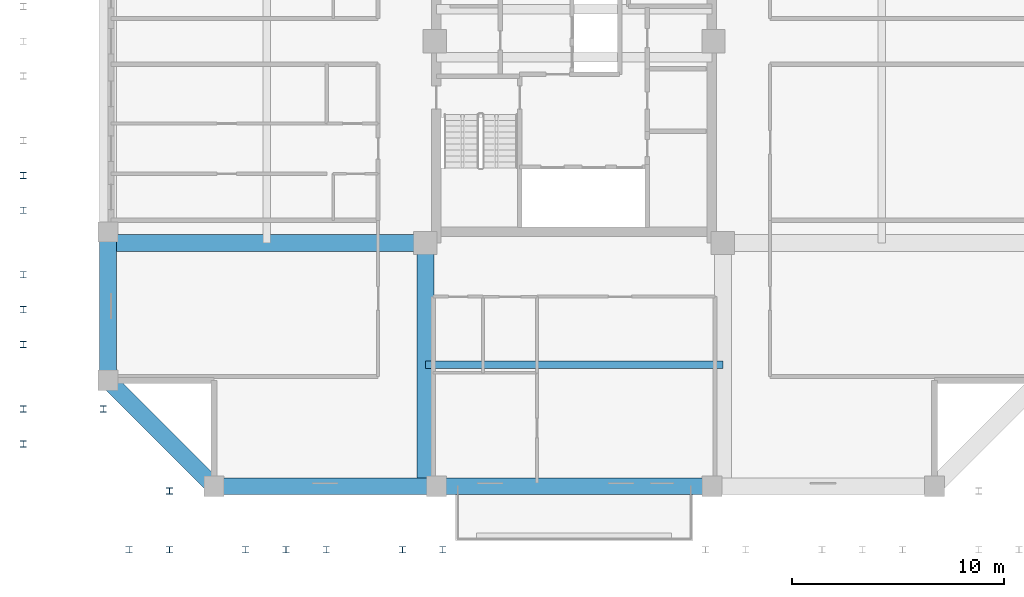
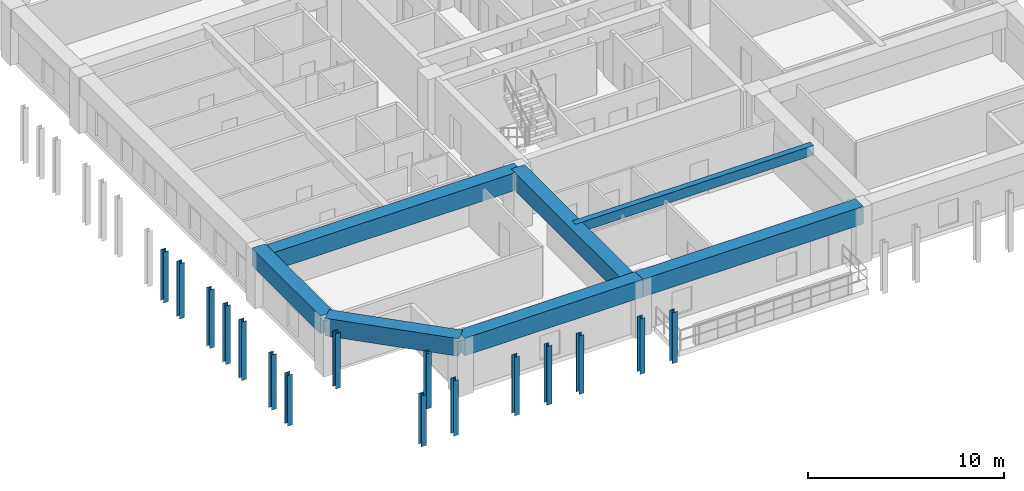
# One storey, part 2 of 13: 16 members, 7 beams.
"""IFC4 building model written with IfcOpenShell, lengths in metres."""

from ifc_helpers import new_model, si_unit, direction, frame, origin, origin_2d, place, context, subcontext, project, spatial, rectangle, i_section, extrude, source, transform, mapped, material, material_profile, profile_set, type_object, element, save


model = new_model("IFC4")

# Units and contexts
model_context = context("Model", 3, precision=1e-05, world=origin(), true_north=direction((0.0, 1.0)))
body_context = subcontext(model_context, "Body", "Model", "MODEL_VIEW")
ifc_project = project(units=[si_unit("LENGTHUNIT", "METRE"), si_unit("AREAUNIT", "SQUARE_METRE"), si_unit("VOLUMEUNIT", "CUBIC_METRE"), si_unit("PLANEANGLEUNIT", "RADIAN"), si_unit("MASSUNIT", "GRAM", prefix="KILO")], contexts=[model_context])

# Site, building, storey
site_placement = place(None, origin())
site = spatial("IfcSite", under=ifc_project, at=site_placement, CompositionType="ELEMENT")
building_placement = place(site_placement, origin())
building = spatial("IfcBuilding", under=site, at=building_placement, Name="Saelheon Loggia Tower", CompositionType="ELEMENT")
storey_placement = place(building_placement, frame((0.0, 0.0, 148.699951171875)))
storey = spatial("IfcBuildingStorey", under=building, at=storey_placement, Name="L47", CompositionType="ELEMENT", Elevation=148.699951171875)

# Members
ifc_material_1 = material(Name="Steel SM355", Category="steel")
ifc_material_profile_1 = material_profile(ifc_material_1, i_section(OverallWidth=0.300048828125, OverallDepth=0.300048828125, WebThickness=0.010009765625, FlangeThickness=0.014892578125, at=origin_2d()), Name="H-300x300x10x15")
ifc_profile_set_1 = profile_set([ifc_material_profile_1], Name="Steel SM355")
member_type_1 = type_object("IfcMemberType", Name="WaveCrest_Post_H300", PredefinedType="POST", material=ifc_profile_set_1)
shared_shape_1 = source(origin(), body_context, "Body", "SweptSolid", [
    extrude(i_section(OverallWidth=0.300048828125, OverallDepth=0.300048828125, WebThickness=0.010009765625, FlangeThickness=0.014892578125, at=origin_2d()), origin(), (0.0, 0.0, 1.0), 3.169921875),
])
for number, where, z_axis, x_axis, name in (
    (1, (12.0, 8.0, -0.14990234375), (0.0, 0.0, 1.0), (1.0, 0.0, 0.0), "Tier 1 Wave Crest Lower Post W 00"),
    (2, (12.0, 20.666748046875, -0.14990234375), (0.0, 0.0, 1.0), (1.0, 0.0, 0.0), "Tier 1 Wave Crest Lower Post W 02"),
    (3, (17.0, 3.0, -0.14990234375), (0.0, 0.0, 1.0), (1.0, 0.0, 0.0), "Tier 1 Wave Crest Lower Post SW 00"),
    (4, (31.800048828125, 3.0, -0.14990234375), (0.0, 0.0, 1.0), (1.0, 0.0, 0.0), "Tier 1 Wave Crest Lower Post SW 02"),
):
    element("IfcMember", number, at=place(storey_placement, frame(where, z_axis=z_axis, x_axis=x_axis)), inside=storey, type_object=member_type_1, Name=name, PredefinedType="POST", context=body_context, shape_type="MappedRepresentation", body=[
        mapped(shared_shape_1, transform((0.0, 0.0, 0.0), scale=1.0)),
    ])
shared_shape_2 = source(origin(), body_context, "Body", "SweptSolid", [
    extrude(i_section(OverallWidth=0.300048828125, OverallDepth=0.300048828125, WebThickness=0.010009765625, FlangeThickness=0.014892578125, at=origin_2d()), origin(), (0.0, 0.0, 1.0), 3.64990234375),
])
for number, where, z_axis, x_axis, name in (
    (5, (12.0, 14.333251953125, -0.14990234375), (0.0, 0.0, 1.0), (1.0, 0.0, 0.0), "Tier 1 Wave Crest Lower Post W 01"),
    (6, (12.0, 12.6884765625, -0.14990234375), (0.0, 0.0, 1.0), (1.0, 0.0, 0.0), "Tier 1 Rafter Outer Lower Post W 01"),
    (7, (12.0, 15.97802734375, -0.14990234375), (0.0, 0.0, 1.0), (1.0, 0.0, 0.0), "Tier 1 Rafter Outer Lower Post W 02"),
    (8, (24.39990234375, 3.0, -0.14990234375), (0.0, 0.0, 1.0), (1.0, 0.0, 0.0), "Tier 1 Wave Crest Lower Post SW 01"),
    (9, (22.499267578125, 3.0, -0.14990234375), (0.0, 0.0, 1.0), (1.0, 0.0, 0.0), "Tier 1 Rafter Outer Lower Post SW 01"),
    (10, (26.30078125, 3.0, -0.14990234375), (0.0, 0.0, 1.0), (1.0, 0.0, 0.0), "Tier 1 Rafter Outer Lower Post SW 02"),
):
    element("IfcMember", number, at=place(storey_placement, frame(where, z_axis=z_axis, x_axis=x_axis)), inside=storey, type_object=member_type_1, Name=name, PredefinedType="POST", context=body_context, shape_type="MappedRepresentation", body=[
        mapped(shared_shape_2, transform((0.0, 0.0, 0.0), scale=1.0)),
    ])
shared_shape_3 = source(origin(), body_context, "Body", "SweptSolid", [
    extrude(i_section(OverallWidth=0.300048828125, OverallDepth=0.300048828125, WebThickness=0.010009765625, FlangeThickness=0.014892578125, at=origin_2d()), origin(), (0.0, 0.0, 1.0), 3.44189453125),
])
member_1_placement = place(storey_placement, frame((12.0, 9.644775390625, -0.14990234375), z_axis=(0.0, 0.0, 1.0), x_axis=(1.0, 0.0, 0.0)))
element("IfcMember", 11, at=member_1_placement, inside=storey, type_object=member_type_1, Name="Tier 1 Rafter Outer Lower Post W 01", PredefinedType="POST", context=body_context, shape_type="MappedRepresentation", body=[
    mapped(shared_shape_3, transform((0.0, 0.0, 0.0), scale=1.0)),
])
ifc_material_profile_2 = material_profile(ifc_material_1, i_section(OverallWidth=0.300048828125, OverallDepth=0.300048828125, WebThickness=0.010009765625, FlangeThickness=0.014892578125, at=origin_2d()), Name="H-300x300x10x15")
ifc_profile_set_2 = profile_set([ifc_material_profile_2], Name="Steel SM355")
member_type_2 = type_object("IfcMemberType", Name="Belt_Post_H300", PredefinedType="POST", material=ifc_profile_set_2)
member_2_placement = place(storey_placement, frame((15.780029296875, 9.644775390625, -0.14990234375), z_axis=(0.0, 0.0, 1.0), x_axis=(1.0, 0.0, 0.0)))
element("IfcMember", 12, at=member_2_placement, inside=storey, type_object=member_type_2, Name="Tier 1 Rafter Inner Lower Post W 01", PredefinedType="POST", context=body_context, shape_type="MappedRepresentation", body=[
    mapped(shared_shape_3, transform((0.0, 0.0, 0.0), scale=1.0)),
])
member_3_placement = place(storey_placement, frame((12.0, 19.02197265625, -0.14990234375), z_axis=(0.0, 0.0, 1.0), x_axis=(1.0, 0.0, 0.0)))
element("IfcMember", 13, at=member_3_placement, inside=storey, type_object=member_type_1, Name="Tier 1 Rafter Outer Lower Post W 02", PredefinedType="POST", context=body_context, shape_type="MappedRepresentation", body=[
    mapped(shared_shape_3, transform((0.0, 0.0, 0.0), scale=1.0)),
])
shared_shape_4 = source(origin(), body_context, "Body", "SweptSolid", [
    extrude(i_section(OverallWidth=0.300048828125, OverallDepth=0.300048828125, WebThickness=0.010009765625, FlangeThickness=0.014892578125, at=origin_2d()), origin(), (0.0, 0.0, 1.0), 3.4482421875),
])
member_4_placement = place(storey_placement, frame((18.90087890625, 3.0, -0.14990234375), z_axis=(0.0, 0.0, 1.0), x_axis=(1.0, 0.0, 0.0)))
element("IfcMember", 14, at=member_4_placement, inside=storey, type_object=member_type_1, Name="Tier 1 Rafter Outer Lower Post SW 01", PredefinedType="POST", context=body_context, shape_type="MappedRepresentation", body=[
    mapped(shared_shape_4, transform((0.0, 0.0, 0.0), scale=1.0)),
])
member_5_placement = place(storey_placement, frame((18.90087890625, 5.780029296875, -0.14990234375), z_axis=(0.0, 0.0, 1.0), x_axis=(1.0, 0.0, 0.0)))
element("IfcMember", 15, at=member_5_placement, inside=storey, type_object=member_type_2, Name="Tier 1 Rafter Inner Lower Post SW 01", PredefinedType="POST", context=body_context, shape_type="MappedRepresentation", body=[
    mapped(shared_shape_4, transform((0.0, 0.0, 0.0), scale=1.0)),
])
member_6_placement = place(storey_placement, frame((29.899169921875, 3.0, -0.14990234375), z_axis=(0.0, 0.0, 1.0), x_axis=(1.0, 0.0, 0.0)))
element("IfcMember", 16, at=member_6_placement, inside=storey, type_object=member_type_1, Name="Tier 1 Rafter Outer Lower Post SW 02", PredefinedType="POST", context=body_context, shape_type="MappedRepresentation", body=[
    mapped(shared_shape_4, transform((0.0, 0.0, 0.0), scale=1.0)),
])

# Beams
ifc_material_2 = material(Name="Concrete C45/55", Category="concrete")
ifc_material_profile_3 = material_profile(ifc_material_2, rectangle(XDim=0.35009765625, YDim=0.60009765625, at=origin_2d()), Name="RC-350x600")
ifc_profile_set_3 = profile_set([ifc_material_profile_3], Name="Concrete C45/55")
beam_type_1 = type_object("IfcBeamType", Name="Beam_AmenityJoist_RC350x600", PredefinedType="JOIST", material=ifc_profile_set_3)
shared_shape_5 = source(origin(), body_context, "Body", "SweptSolid", [
    extrude(rectangle(XDim=0.35009765625, YDim=0.60009765625, at=origin_2d()), origin(), (0.0, 0.0, 1.0), 14.0400390625),
])
beam_1_placement = place(storey_placement, frame((30.97998046875, 11.739990234375, 3.199951171875), z_axis=(1.0, 0.0, 0.0), x_axis=(0.0, 1.0, 0.0)))
element("IfcBeam", 17, at=beam_1_placement, inside=storey, type_object=beam_type_1, Name="L47 South Floor Joist", PredefinedType="JOIST", context=body_context, shape_type="MappedRepresentation", body=[
    mapped(shared_shape_5, transform((0.0, 0.0, 0.0), scale=1.0)),
])
ifc_material_3 = material(Name="Concrete C50/60", Category="concrete")
ifc_material_profile_4 = material_profile(ifc_material_3, rectangle(XDim=0.800048828125, YDim=1.10009765625, at=origin_2d()), Name="RC-800x1100")
ifc_profile_set_4 = profile_set([ifc_material_profile_4], Name="Concrete C50/60")
beam_type_2 = type_object("IfcBeamType", Name="Beam_PerimSetback_RC800x1100", PredefinedType="BEAM", material=ifc_profile_set_4)
shared_shape_6 = source(origin(), body_context, "Body", "SweptSolid", [
    extrude(rectangle(XDim=0.800048828125, YDim=1.10009765625, at=origin_2d()), origin(), (0.0, 0.0, 1.0), 10.5),
])
beam_2_placement = place(storey_placement, frame((21.0, 6.0, 2.949951171875), z_axis=(1.0, 0.0, 0.0), x_axis=(0.0, 1.0, 0.0)))
element("IfcBeam", 18, at=beam_2_placement, inside=storey, type_object=beam_type_2, Name="L47 Perimeter Frame Girder 01", PredefinedType="BEAM", context=body_context, shape_type="MappedRepresentation", body=[
    mapped(shared_shape_6, transform((0.0, 0.0, 0.0), scale=1.0)),
])
shared_shape_7 = source(origin(), body_context, "Body", "SweptSolid", [
    extrude(rectangle(XDim=0.800048828125, YDim=1.10009765625, at=origin_2d()), origin(), (0.0, 0.0, 1.0), 13.0),
])
beam_3_placement = place(storey_placement, frame((31.5, 6.0, 2.949951171875), z_axis=(1.0, 0.0, 0.0), x_axis=(0.0, 1.0, 0.0)))
element("IfcBeam", 19, at=beam_3_placement, inside=storey, type_object=beam_type_2, Name="L47 Perimeter Frame Girder 02", PredefinedType="BEAM", context=body_context, shape_type="MappedRepresentation", body=[
    mapped(shared_shape_7, transform((0.0, 0.0, 0.0), scale=1.0)),
])
shared_shape_8 = source(origin(), body_context, "Body", "SweptSolid", [
    extrude(rectangle(XDim=0.800048828125, YDim=1.10009765625, at=origin_2d()), origin(), (0.0, 0.0, 1.0), 7.071044921875),
])
beam_4_placement = place(storey_placement, frame((16.0, 11.0, 2.949951171875), z_axis=(0.707106781187, -0.707106781187, 0.0), x_axis=(0.707106781187, 0.707106781187, 0.0)))
element("IfcBeam", 20, at=beam_4_placement, inside=storey, type_object=beam_type_2, Name="L47 Perimeter Frame Girder 16", PredefinedType="BEAM", context=body_context, shape_type="MappedRepresentation", body=[
    mapped(shared_shape_8, transform((0.0, 0.0, 0.0), scale=1.0)),
])
shared_shape_9 = source(origin(), body_context, "Body", "SweptSolid", [
    extrude(rectangle(XDim=0.800048828125, YDim=1.10009765625, at=origin_2d()), origin(), (0.0, 0.0, 1.0), 7.0),
])
beam_5_placement = place(storey_placement, frame((16.0, 18.0, 2.949951171875), z_axis=(0.0, -1.0, 0.0), x_axis=(1.0, 0.0, 0.0)))
element("IfcBeam", 21, at=beam_5_placement, inside=storey, type_object=beam_type_2, Name="L47 Perimeter Frame Girder 15", PredefinedType="BEAM", context=body_context, shape_type="MappedRepresentation", body=[
    mapped(shared_shape_9, transform((0.0, 0.0, 0.0), scale=1.0)),
])
ifc_material_profile_5 = material_profile(ifc_material_3, rectangle(XDim=0.800048828125, YDim=1.10009765625, at=origin_2d()), Name="RC-800x1100")
ifc_profile_set_5 = profile_set([ifc_material_profile_5], Name="Concrete C50/60")
beam_type_3 = type_object("IfcBeamType", Name="Beam_SetbackTransfer_RC800x1100", PredefinedType="BEAM", material=ifc_profile_set_5)
shared_shape_10 = source(origin(), body_context, "Body", "SweptSolid", [
    extrude(rectangle(XDim=0.800048828125, YDim=1.10009765625, at=origin_2d()), origin(), (0.0, 0.0, 1.0), 11.47998046875),
])
beam_6_placement = place(storey_placement, frame((30.97998046875, 17.47998046875, 2.949951171875), z_axis=(0.0, -1.0, 0.0), x_axis=(1.0, 0.0, 0.0)))
element("IfcBeam", 22, at=beam_6_placement, inside=storey, type_object=beam_type_3, Name="L47 Radial Floor Girder RAD-SW-S", PredefinedType="BEAM", context=body_context, shape_type="MappedRepresentation", body=[
    mapped(shared_shape_10, transform((0.0, 0.0, 0.0), scale=1.0)),
])
shared_shape_11 = source(origin(), body_context, "Body", "SweptSolid", [
    extrude(rectangle(XDim=0.800048828125, YDim=1.10009765625, at=origin_2d()), origin(), (0.0, 0.0, 1.0), 14.97998046875),
])
beam_7_placement = place(storey_placement, frame((30.97998046875, 17.47998046875, 2.949951171875), z_axis=(-1.0, 0.0, 0.0), x_axis=(0.0, -1.0, 0.0)))
element("IfcBeam", 23, at=beam_7_placement, inside=storey, type_object=beam_type_3, Name="L47 Radial Floor Girder RAD-SW-W", PredefinedType="BEAM", context=body_context, shape_type="MappedRepresentation", body=[
    mapped(shared_shape_11, transform((0.0, 0.0, 0.0), scale=1.0)),
])

save(model, "model.ifc")
